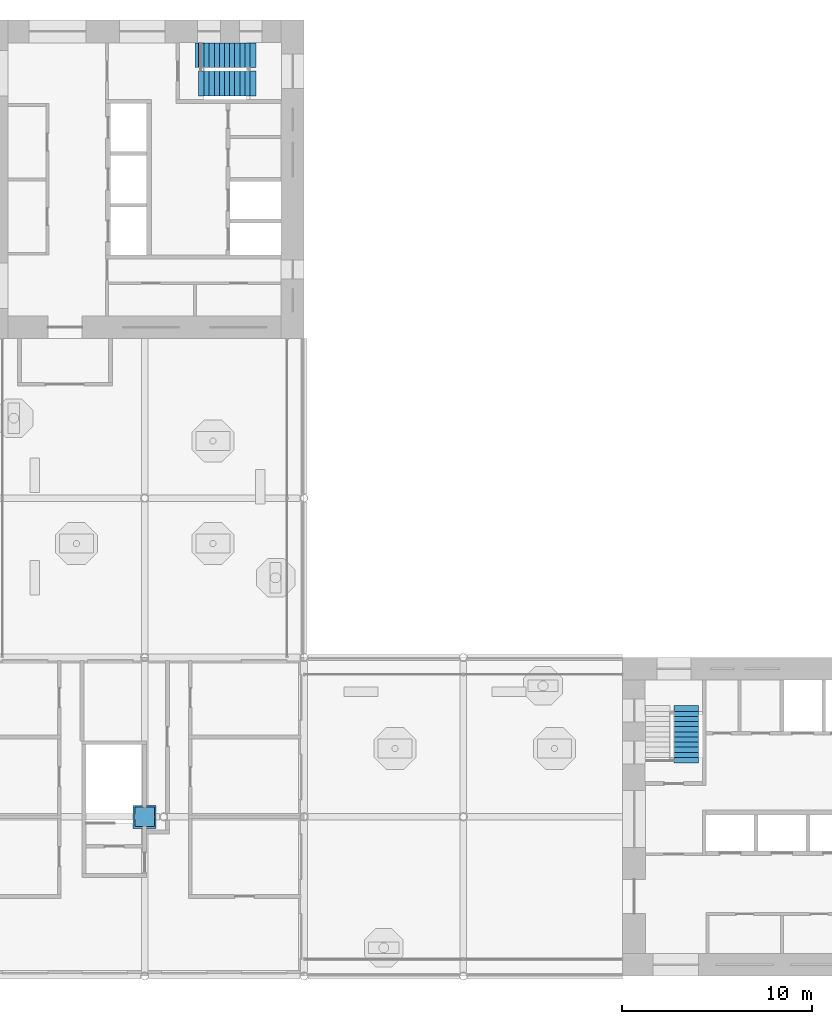
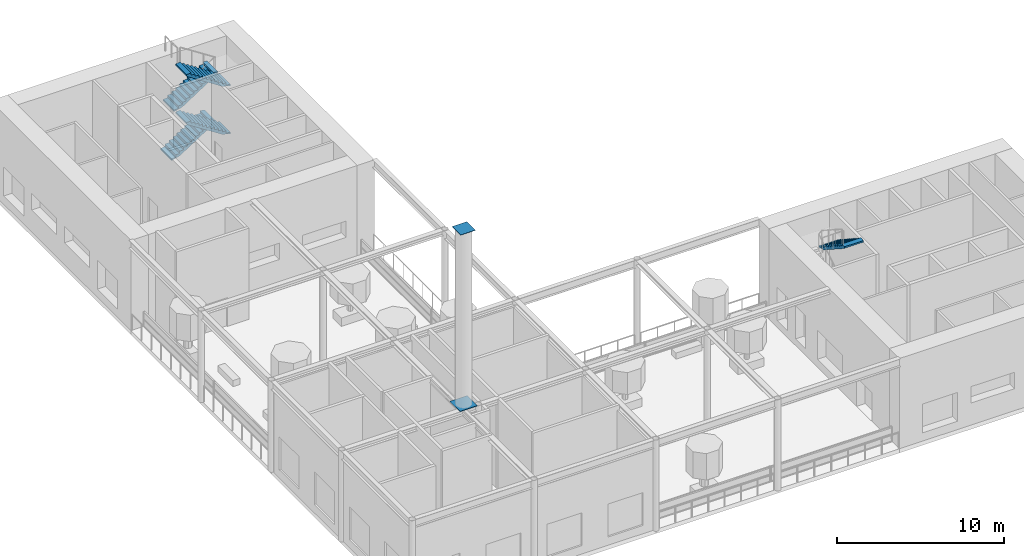
# One storey, part 12 of 15: 5 stair flights, 2 discrete accessories, 2 elements without a shape of their own.
"""IFC4 building model written with IfcOpenShell, lengths in metres."""

from ifc_helpers import new_model, si_unit, direction, frame, origin, origin_2d, place, context, subcontext, project, spatial, polyline, rectangle, outline, extrude, material, type_object, element, aggregate, save


model = new_model("IFC4")

# Units and contexts
model_context = context("Model", 3, precision=1e-05, world=origin(), true_north=direction((0.0, 1.0)))
body_context = subcontext(model_context, "Body", "Model", "MODEL_VIEW")
ifc_project = project(units=[si_unit("LENGTHUNIT", "METRE"), si_unit("AREAUNIT", "SQUARE_METRE"), si_unit("VOLUMEUNIT", "CUBIC_METRE"), si_unit("PLANEANGLEUNIT", "RADIAN"), si_unit("MASSUNIT", "GRAM", prefix="KILO")], contexts=[model_context])

# Site, building, storey
site_placement = place(None, origin())
site = spatial("IfcSite", under=ifc_project, at=site_placement, CompositionType="ELEMENT")
building_placement = place(site_placement, origin())
building = spatial("IfcBuilding", under=site, at=building_placement, Name="Vermilion Gate Residences", CompositionType="ELEMENT")
storey_placement = place(building_placement, frame((0.0, 0.0, 277.199951171875)))
storey = spatial("IfcBuildingStorey", under=building, at=storey_placement, Name="L73", CompositionType="ELEMENT", Elevation=277.199951171875)

# Stair, stair flight
ifc_material_1 = material(Name="Concrete C50", Category="concrete")
stair_type = type_object("IfcStairType", Name="SPECIAL ESCAPE STAIR 1300", PredefinedType="HALF_TURN_STAIR", material=ifc_material_1)
stair_1_placement = place(storey_placement, origin())
stair_1 = element("IfcStair", 1, at=stair_1_placement, inside=storey, type_object=stair_type, Name="Special escape stair STA1-73", PredefinedType="HALF_TURN_STAIR")
ifc_material_2 = material(Name="Concrete C50", Category="concrete")
stair_flight_type = type_object("IfcStairFlightType", Name="STAIR FLIGHT 1300 RC C50", PredefinedType="STRAIGHT", material=ifc_material_2)
stair_flight_1_placement = place(storey_placement, frame((45.35009765625, 22.360107421875, 5.25), z_axis=(0.0, 0.0, 1.0), x_axis=(0.0, -1.0, 0.0)))
stair_flight_1 = element("IfcStairFlight", 2, at=stair_flight_1_placement, type_object=stair_flight_type, Name="STA1-73 flight 4", NumberOfRisers=10, NumberOfTreads=9, PredefinedType="STRAIGHT", RiserHeight=0.175, TreadLength=0.27, context=body_context, shape_type="SweptSolid", body=[
    extrude(outline(polyline([(-0.300048828125, -0.14990234375), (-0.300048828125, -0.030029296875), (0.0, 0.0), (0.0, 0.175048828125), (0.27001953125, 0.175048828125), (0.27001953125, 0.35009765625), (0.5400390625, 0.35009765625), (0.5400390625, 0.52490234375), (0.81005859375, 0.52490234375), (0.81005859375, 0.699951171875), (1.080078125, 0.699951171875), (1.080078125, 0.875), (1.35009765625, 0.875), (1.35009765625, 1.050048828125), (1.6201171875, 1.050048828125), (1.6201171875, 1.22509765625), (1.889892578125, 1.22509765625), (1.889892578125, 1.39990234375), (2.159912109375, 1.39990234375), (2.159912109375, 1.574951171875), (2.429931640625, 1.574951171875), (2.429931640625, 1.75), (2.72998046875, 1.719970703125), (2.72998046875, 1.60009765625), (2.429931640625, 1.396484375), (0.275634765625, 0.0), (-0.300048828125, -0.14990234375)])), frame((0.0, 0.64990234375, 0.0), z_axis=(0.0, -1.0, 0.0), x_axis=(1.0, 0.0, 0.0)), (0.0, 0.0, 1.0), 1.300048828125),
])
aggregate(stair_1, [stair_flight_1])

# Stair, stair flights
stair_2_placement = place(storey_placement, origin())
stair_2 = element("IfcStair", 3, at=stair_2_placement, inside=storey, type_object=stair_type, Name="Special escape stair STB1-73", PredefinedType="HALF_TURN_STAIR")
stair_flight_2_placement = place(storey_placement, frame((19.75, 56.949951171875, 0.0), z_axis=(0.0, 0.0, 1.0), x_axis=(1.0, 0.0, 0.0)))
stair_flight_2 = element("IfcStairFlight", 4, at=stair_flight_2_placement, type_object=stair_flight_type, Name="STB1-73 flight 1", NumberOfRisers=10, NumberOfTreads=9, PredefinedType="STRAIGHT", RiserHeight=0.175, TreadLength=0.27, context=body_context, shape_type="SweptSolid", body=[
    extrude(outline(polyline([(-0.300048828125, -0.14990234375), (-0.300048828125, -0.030029296875), (0.0, 0.0), (0.0, 0.175048828125), (0.27001953125, 0.175048828125), (0.27001953125, 0.35009765625), (0.5400390625, 0.35009765625), (0.5400390625, 0.52490234375), (0.81005859375, 0.52490234375), (0.81005859375, 0.699951171875), (1.080078125, 0.699951171875), (1.080078125, 0.875), (1.35009765625, 0.875), (1.35009765625, 1.050048828125), (1.6201171875, 1.050048828125), (1.6201171875, 1.22509765625), (1.889892578125, 1.22509765625), (1.889892578125, 1.39990234375), (2.159912109375, 1.39990234375), (2.159912109375, 1.574951171875), (2.429931640625, 1.574951171875), (2.429931640625, 1.75), (2.72998046875, 1.719970703125), (2.72998046875, 1.60009765625), (2.429931640625, 1.396484375), (0.275634765625, 0.0), (-0.300048828125, -0.14990234375)])), frame((0.0, 0.64990234375, 0.0), z_axis=(0.0, -1.0, 0.0), x_axis=(1.0, 0.0, 0.0)), (0.0, 0.0, 1.0), 1.300048828125),
])
stair_flight_3_placement = place(storey_placement, frame((22.360107421875, 55.449951171875, 1.75), z_axis=(0.0, 0.0, 1.0), x_axis=(-1.0, 0.0, 0.0)))
stair_flight_3 = element("IfcStairFlight", 5, at=stair_flight_3_placement, type_object=stair_flight_type, Name="STB1-73 flight 2", NumberOfRisers=10, NumberOfTreads=9, PredefinedType="STRAIGHT", RiserHeight=0.175, TreadLength=0.27, context=body_context, shape_type="SweptSolid", body=[
    extrude(outline(polyline([(-0.300048828125, -0.14990234375), (-0.300048828125, -0.030029296875), (0.0, 0.0), (0.0, 0.175048828125), (0.27001953125, 0.175048828125), (0.27001953125, 0.35009765625), (0.5400390625, 0.35009765625), (0.5400390625, 0.52490234375), (0.81005859375, 0.52490234375), (0.81005859375, 0.699951171875), (1.080078125, 0.699951171875), (1.080078125, 0.875), (1.35009765625, 0.875), (1.35009765625, 1.050048828125), (1.6201171875, 1.050048828125), (1.6201171875, 1.22509765625), (1.889892578125, 1.22509765625), (1.889892578125, 1.39990234375), (2.159912109375, 1.39990234375), (2.159912109375, 1.574951171875), (2.429931640625, 1.574951171875), (2.429931640625, 1.75), (2.72998046875, 1.719970703125), (2.72998046875, 1.60009765625), (2.429931640625, 1.396484375), (0.275634765625, 0.0), (-0.300048828125, -0.14990234375)])), frame((0.0, 0.64990234375, 0.0), z_axis=(0.0, -1.0, 0.0), x_axis=(1.0, 0.0, 0.0)), (0.0, 0.0, 1.0), 1.300048828125),
])
stair_flight_4_placement = place(storey_placement, frame((19.929931640625, 56.949951171875, 3.5), z_axis=(0.0, 0.0, 1.0), x_axis=(1.0, 0.0, 0.0)))
stair_flight_4 = element("IfcStairFlight", 6, at=stair_flight_4_placement, type_object=stair_flight_type, Name="STB1-73 flight 3", NumberOfRisers=10, NumberOfTreads=9, PredefinedType="STRAIGHT", RiserHeight=0.175, TreadLength=0.27, context=body_context, shape_type="SweptSolid", body=[
    extrude(outline(polyline([(-0.300048828125, -0.14990234375), (-0.300048828125, -0.030029296875), (0.0, 0.0), (0.0, 0.175048828125), (0.27001953125, 0.175048828125), (0.27001953125, 0.35009765625), (0.5400390625, 0.35009765625), (0.5400390625, 0.52490234375), (0.81005859375, 0.52490234375), (0.81005859375, 0.699951171875), (1.080078125, 0.699951171875), (1.080078125, 0.875), (1.35009765625, 0.875), (1.35009765625, 1.050048828125), (1.6201171875, 1.050048828125), (1.6201171875, 1.22509765625), (1.889892578125, 1.22509765625), (1.889892578125, 1.39990234375), (2.159912109375, 1.39990234375), (2.159912109375, 1.574951171875), (2.429931640625, 1.574951171875), (2.429931640625, 1.75), (2.72998046875, 1.719970703125), (2.72998046875, 1.60009765625), (2.429931640625, 1.396484375), (0.275634765625, 0.0), (-0.300048828125, -0.14990234375)])), frame((0.0, 0.64990234375, 0.0), z_axis=(0.0, -1.0, 0.0), x_axis=(1.0, 0.0, 0.0)), (0.0, 0.0, 1.0), 1.300048828125),
])
stair_flight_5_placement = place(storey_placement, frame((22.360107421875, 55.449951171875, 5.25), z_axis=(0.0, 0.0, 1.0), x_axis=(-1.0, 0.0, 0.0)))
stair_flight_5 = element("IfcStairFlight", 7, at=stair_flight_5_placement, type_object=stair_flight_type, Name="STB1-73 flight 4", NumberOfRisers=10, NumberOfTreads=9, PredefinedType="STRAIGHT", RiserHeight=0.175, TreadLength=0.27, context=body_context, shape_type="SweptSolid", body=[
    extrude(outline(polyline([(-0.300048828125, -0.14990234375), (-0.300048828125, -0.030029296875), (0.0, 0.0), (0.0, 0.175048828125), (0.27001953125, 0.175048828125), (0.27001953125, 0.35009765625), (0.5400390625, 0.35009765625), (0.5400390625, 0.52490234375), (0.81005859375, 0.52490234375), (0.81005859375, 0.699951171875), (1.080078125, 0.699951171875), (1.080078125, 0.875), (1.35009765625, 0.875), (1.35009765625, 1.050048828125), (1.6201171875, 1.050048828125), (1.6201171875, 1.22509765625), (1.889892578125, 1.22509765625), (1.889892578125, 1.39990234375), (2.159912109375, 1.39990234375), (2.159912109375, 1.574951171875), (2.429931640625, 1.574951171875), (2.429931640625, 1.75), (2.72998046875, 1.719970703125), (2.72998046875, 1.60009765625), (2.429931640625, 1.396484375), (0.275634765625, 0.0), (-0.300048828125, -0.14990234375)])), frame((0.0, 0.64990234375, 0.0), z_axis=(0.0, -1.0, 0.0), x_axis=(1.0, 0.0, 0.0)), (0.0, 0.0, 1.0), 1.300048828125),
])
aggregate(stair_2, [stair_flight_2, stair_flight_3, stair_flight_4, stair_flight_5])

# Discrete accessories
discrete_accessory_1_placement = place(storey_placement, frame((16.800048828125, 16.800048828125, 7.0), z_axis=(0.0, 0.0, 1.0), x_axis=(1.0, 0.0, 0.0)))
element("IfcDiscreteAccessory", 8, at=discrete_accessory_1_placement, inside=storey, Name="Mast base plate", ObjectType="MAST BASE PLATE", PredefinedType="USERDEFINED", context=body_context, shape_type="SweptSolid", body=[
    extrude(rectangle(XDim=1.216064453125, YDim=1.216064453125, at=origin_2d()), origin(), (0.0, 0.0, 1.0), 0.030029296875),
])
discrete_accessory_2_placement = place(storey_placement, frame((16.800048828125, 16.800048828125, 19.775146484375), z_axis=(0.0, 0.0, 1.0), x_axis=(1.0, 0.0, 0.0)))
element("IfcDiscreteAccessory", 9, at=discrete_accessory_2_placement, inside=storey, Name="Mast cap plate", ObjectType="MAST CAP PLATE", PredefinedType="USERDEFINED", context=body_context, shape_type="SweptSolid", body=[
    extrude(rectangle(XDim=1.01611328125, YDim=1.01611328125, at=origin_2d()), origin(), (0.0, 0.0, 1.0), 0.02490234375),
])

save(model, "model.ifc")
